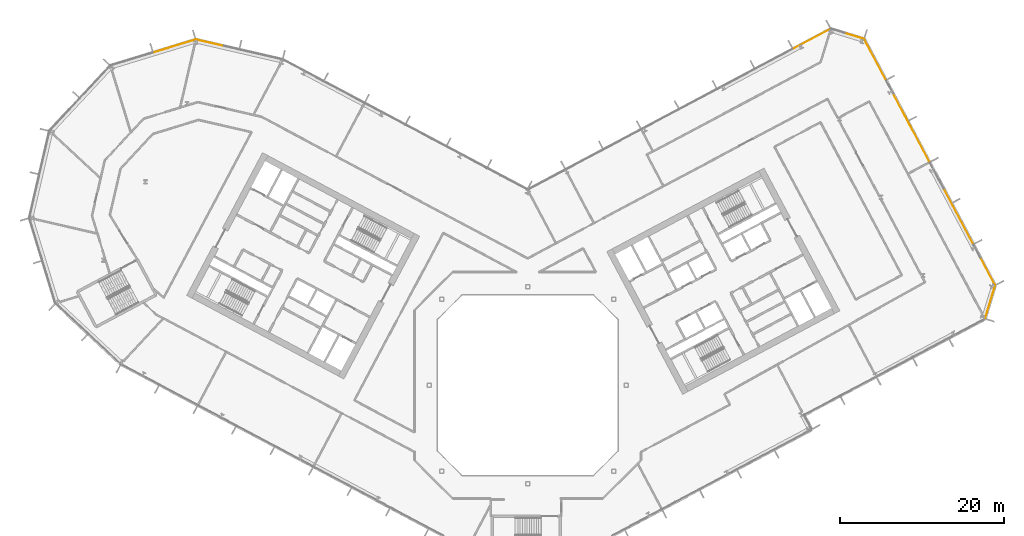
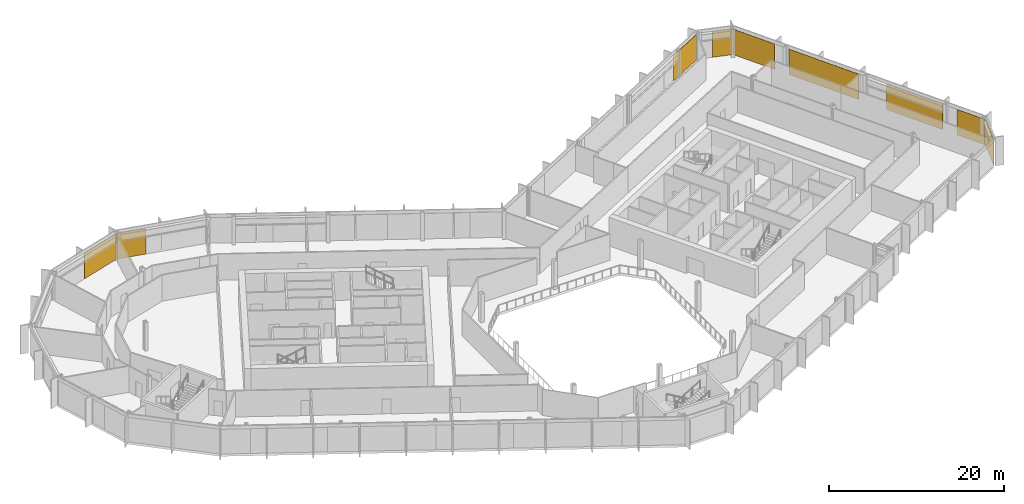
# One storey, part 28 of 28: 9 coverings, 6 elements without a shape of their own.
"""IFC4 building model written with IfcOpenShell, lengths in metres."""

from ifc_helpers import new_model, si_unit, direction, frame, origin, origin_2d, place, context, subcontext, project, spatial, rectangle, extrude, material, layer, layer_set, type_object, element, aggregate, save


model = new_model("IFC4")

# Units and contexts
model_context = context("Model", 3, precision=1e-05, world=origin(), true_north=direction((0.0, 1.0)))
body_context = subcontext(model_context, "Body", "Model", "MODEL_VIEW")
ifc_project = project(units=[si_unit("LENGTHUNIT", "METRE"), si_unit("AREAUNIT", "SQUARE_METRE"), si_unit("VOLUMEUNIT", "CUBIC_METRE"), si_unit("PLANEANGLEUNIT", "RADIAN"), si_unit("MASSUNIT", "GRAM", prefix="KILO")], contexts=[model_context])

# Site, building, storey
site_placement = place(None, origin())
site = spatial("IfcSite", under=ifc_project, at=site_placement, CompositionType="ELEMENT")
building_placement = place(site_placement, origin())
building = spatial("IfcBuilding", under=site, at=building_placement, Name="Cormorant Relay Tower", CompositionType="ELEMENT")
storey_placement = place(building_placement, frame((0.0, 0.0, 126.199951171875)))
storey = spatial("IfcBuildingStorey", under=building, at=storey_placement, Name="L25", CompositionType="ELEMENT", Elevation=126.199951171875)

# Curtain wall, covering
ifc_material_1 = material(Name="Aluminium 6063-T6 anodised bronze", Category="aluminium")
ifc_layer_1 = layer(ifc_material_1, 0.199951171875)
ifc_layer_set_1 = layer_set([ifc_layer_1], Name="CW1 unitised bronze curtain wall with vertical fins")
curtain_wall_type = type_object("IfcCurtainWallType", Name="CW1 unitised bronze curtain wall with vertical fins", PredefinedType="NOTDEFINED", material=ifc_layer_set_1)
curtain_wall_1_placement = place(storey_placement, origin())
curtain_wall_1 = element("IfcCurtainWall", 1, at=curtain_wall_1_placement, inside=storey, type_object=curtain_wall_type, Name="CW1 curtain wall 5", PredefinedType="NOTDEFINED")
ifc_material_2 = material(Name="Pale bronze anodised aluminium insulated panel", Category="aluminium")
ifc_layer_2 = layer(ifc_material_2, 0.0400390625)
ifc_layer_set_2 = layer_set([ifc_layer_2], Name="CW1 pale bronze insulated panel 40")
covering_type = type_object("IfcCoveringType", Name="CW1 pale bronze insulated panel 40", PredefinedType="CLADDING", material=ifc_layer_set_2)
covering_1_placement = place(storey_placement, frame((56.366455078125, 10.16455078125, 0.0), z_axis=(0.0, 0.0, 1.0), x_axis=(0.292371704723, 0.956304755963, 0.0)))
covering_1 = element("IfcCovering", 2, at=covering_1_placement, type_object=covering_type, Name="CW1 panel S00", PredefinedType="CLADDING", context=body_context, shape_type="SweptSolid", body=[
    extrude(rectangle(XDim=4.16748046875, YDim=0.0400390625, at=origin_2d()), origin(), (0.0, 0.0, 1.0), 3.550048828125),
])
aggregate(curtain_wall_1, [covering_1])

# Curtain wall, coverings
curtain_wall_2_placement = place(storey_placement, origin())
curtain_wall_2 = element("IfcCurtainWall", 3, at=curtain_wall_2_placement, inside=storey, type_object=curtain_wall_type, Name="CW1 curtain wall 6", PredefinedType="NOTDEFINED")
covering_2_placement = place(storey_placement, frame((56.066650390625, 13.879638671875, 0.0), z_axis=(0.0, 0.0, 1.0), x_axis=(-0.469471562786, 0.882947592859, 0.0)))
covering_2 = element("IfcCovering", 4, at=covering_2_placement, type_object=covering_type, Name="CW1 panel S00", PredefinedType="CLADDING", context=body_context, shape_type="SweptSolid", body=[
    extrude(rectangle(XDim=3.716796875, YDim=0.0400390625, at=origin_2d()), origin(), (0.0, 0.0, 1.0), 3.550048828125),
])
covering_3_placement = place(storey_placement, frame((52.49853515625, 20.590087890625, 0.0), z_axis=(0.0, 0.0, 1.0), x_axis=(-0.469471562786, 0.882947592859, 0.0)))
covering_3 = element("IfcCovering", 5, at=covering_3_placement, type_object=covering_type, Name="CW1 panel S02", PredefinedType="CLADDING", context=body_context, shape_type="SweptSolid", body=[
    extrude(rectangle(XDim=7.583251953125, YDim=0.0400390625, at=origin_2d()), origin(), (0.0, 0.0, 1.0), 3.550048828125),
])
covering_4_placement = place(storey_placement, frame((46.75537109375, 31.3916015625, 0.0), z_axis=(0.0, 0.0, 1.0), x_axis=(-0.469471562786, 0.882947592859, 0.0)))
covering_4 = element("IfcCovering", 6, at=covering_4_placement, type_object=covering_type, Name="CW1 panel S04", PredefinedType="CLADDING", context=body_context, shape_type="SweptSolid", body=[
    extrude(rectangle(XDim=9.38330078125, YDim=0.0400390625, at=origin_2d()), origin(), (0.0, 0.0, 1.0), 3.550048828125),
])
covering_5_placement = place(storey_placement, frame((42.32470703125, 39.724365234375, 0.0), z_axis=(0.0, 0.0, 1.0), x_axis=(-0.469471562786, 0.882947592859, 0.0)))
covering_5 = element("IfcCovering", 7, at=covering_5_placement, type_object=covering_type, Name="CW1 panel S06", PredefinedType="CLADDING", context=body_context, shape_type="SweptSolid", body=[
    extrude(rectangle(XDim=5.591796875, YDim=0.0400390625, at=origin_2d()), origin(), (0.0, 0.0, 1.0), 3.550048828125),
])
aggregate(curtain_wall_2, [covering_2, covering_3, covering_4, covering_5])

# Curtain wall, covering
curtain_wall_3_placement = place(storey_placement, origin())
curtain_wall_3 = element("IfcCurtainWall", 8, at=curtain_wall_3_placement, inside=storey, type_object=curtain_wall_type, Name="CW1 curtain wall 7", PredefinedType="NOTDEFINED")
covering_6_placement = place(storey_placement, frame((39.796630859375, 42.570556640625, 0.0), z_axis=(0.0, 0.0, 1.0), x_axis=(-0.956304755963, 0.292371704723, 0.0)))
covering_6 = element("IfcCovering", 9, at=covering_6_placement, type_object=covering_type, Name="CW1 panel S00", PredefinedType="CLADDING", context=body_context, shape_type="SweptSolid", body=[
    extrude(rectangle(XDim=2.36767578125, YDim=0.0400390625, at=origin_2d()), origin(), (0.0, 0.0, 1.0), 3.550048828125),
])
aggregate(curtain_wall_3, [covering_6])

curtain_wall_4_placement = place(storey_placement, origin())
curtain_wall_4 = element("IfcCurtainWall", 10, at=curtain_wall_4_placement, inside=storey, type_object=curtain_wall_type, Name="CW1 curtain wall 8", PredefinedType="NOTDEFINED")
covering_7_placement = place(storey_placement, frame((34.619384765625, 42.214111328125, 0.0), z_axis=(0.0, 0.0, 1.0), x_axis=(-0.882947592859, -0.469471562786, 0.0)))
covering_7 = element("IfcCovering", 11, at=covering_7_placement, type_object=covering_type, Name="CW1 panel S00", PredefinedType="CLADDING", context=body_context, shape_type="SweptSolid", body=[
    extrude(rectangle(XDim=5.079345703125, YDim=0.0400390625, at=origin_2d()), origin(), (0.0, 0.0, 1.0), 3.550048828125),
])
aggregate(curtain_wall_4, [covering_7])

curtain_wall_5_placement = place(storey_placement, origin())
curtain_wall_5 = element("IfcCurtainWall", 12, at=curtain_wall_5_placement, inside=storey, type_object=curtain_wall_type, Name="CW1 curtain wall 10", PredefinedType="NOTDEFINED")
covering_8_placement = place(storey_placement, frame((-38.7265625, 41.732421875, 0.0), z_axis=(0.0, 0.0, 1.0), x_axis=(-0.974370064785, 0.224951054344, 0.0)))
covering_8 = element("IfcCovering", 13, at=covering_8_placement, type_object=covering_type, Name="CW1 panel S02", PredefinedType="CLADDING", context=body_context, shape_type="SweptSolid", body=[
    extrude(rectangle(XDim=3.560302734375, YDim=0.0400390625, at=origin_2d()), origin(), (0.0, 0.0, 1.0), 3.550048828125),
])
aggregate(curtain_wall_5, [covering_8])

curtain_wall_6_placement = place(storey_placement, origin())
curtain_wall_6 = element("IfcCurtainWall", 14, at=curtain_wall_6_placement, inside=storey, type_object=curtain_wall_type, Name="CW1 curtain wall 11", PredefinedType="NOTDEFINED")
covering_9_placement = place(storey_placement, frame((-43.0703125, 41.337890625, 0.0), z_axis=(0.0, 0.0, 1.0), x_axis=(-0.956304755963, -0.292371704723, 0.0)))
covering_9 = element("IfcCovering", 15, at=covering_9_placement, type_object=covering_type, Name="CW1 panel S00", PredefinedType="CLADDING", context=body_context, shape_type="SweptSolid", body=[
    extrude(rectangle(XDim=5.28515625, YDim=0.0400390625, at=origin_2d()), origin(), (0.0, 0.0, 1.0), 3.550048828125),
])
aggregate(curtain_wall_6, [covering_9])

save(model, "model.ifc")
